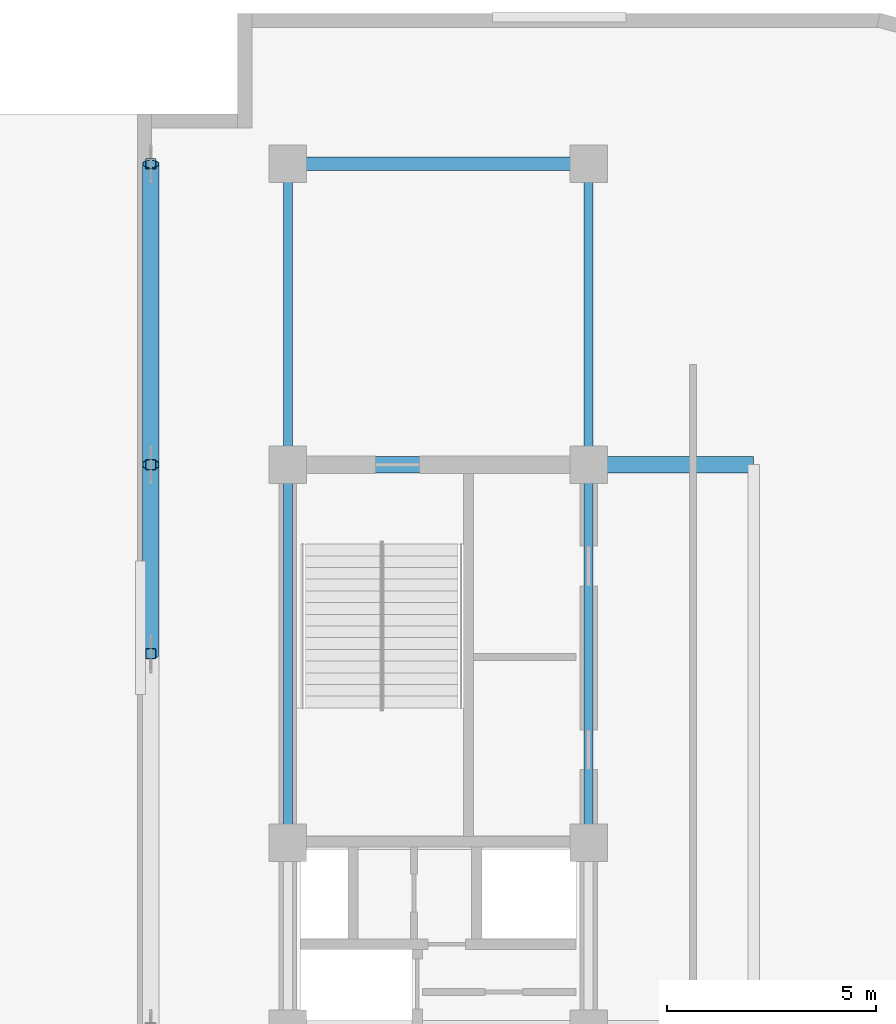
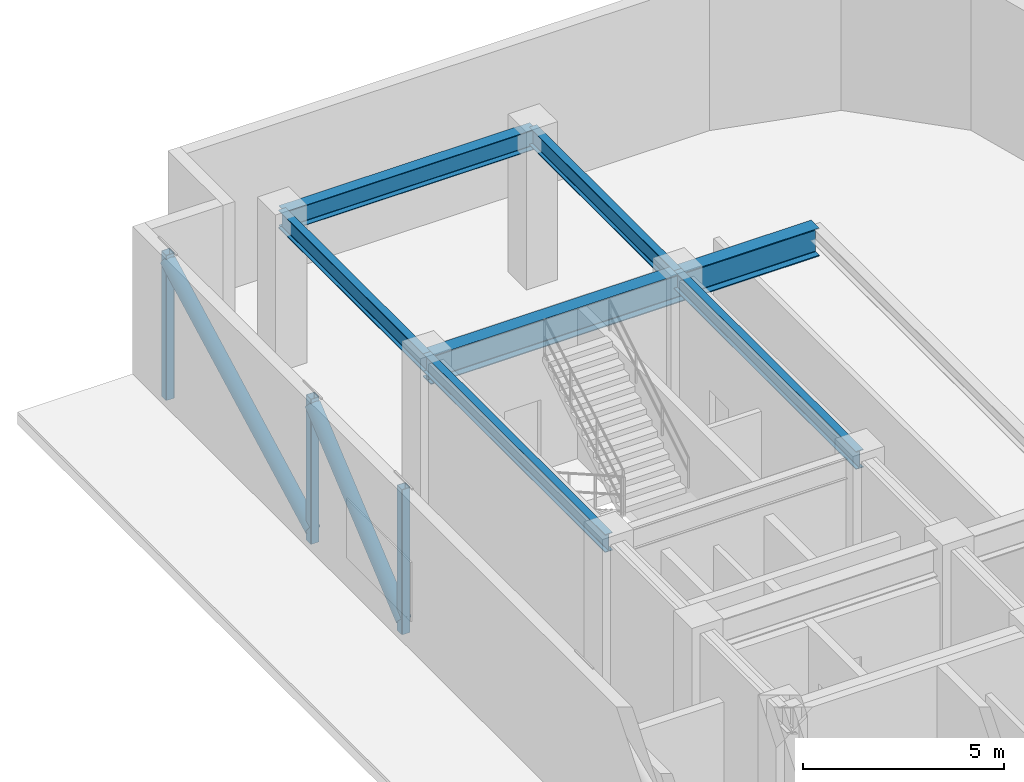
# One storey, part 5 of 13: 6 beams, 5 members.
"""IFC4 building model written with IfcOpenShell, lengths in metres."""

from ifc_helpers import new_model, entity, si_unit, converted_unit, direction, frame, origin_with_axes, origin_2d_with_axis, place, context, subcontext, project, spatial, hollow_rectangle, hollow_circle, i_section, extrude, material, material_profile, profile_set, type_object, element, save


model = new_model("IFC4")

# Units and contexts
model_context = context("Model", 3, precision=1e-05, world=origin_with_axes(), true_north=direction((0.0, 1.0)))
body_context = subcontext(model_context, "Body", "Model", "MODEL_VIEW")
ifc_project = project(units=[si_unit("LENGTHUNIT", "METRE"), si_unit("AREAUNIT", "SQUARE_METRE"), si_unit("VOLUMEUNIT", "CUBIC_METRE"), converted_unit("PLANEANGLEUNIT", "DEGREE", entity("IfcPlaneAngleMeasure", 0.017453292519943295), si_unit("PLANEANGLEUNIT", "RADIAN"), dimensions=[0, 0, 0, 0, 0, 0, 0]), si_unit("MASSUNIT", "GRAM", prefix="KILO"), si_unit("THERMODYNAMICTEMPERATUREUNIT", "KELVIN")], contexts=[model_context])

# Site, building, storey
site_placement = place(None, origin_with_axes())
site = spatial("IfcSite", under=ifc_project, at=site_placement, CompositionType="ELEMENT")
building_placement = place(site_placement, origin_with_axes())
building = spatial("IfcBuilding", under=site, at=building_placement, Name="Varnlund Millrace Tower", CompositionType="ELEMENT")
storey_placement = place(building_placement, frame((0.0, 0.0, 248.1), z_axis=(0.0, 0.0, 1.0), x_axis=(1.0, 0.0, 0.0)))
storey = spatial("IfcBuildingStorey", under=building, at=storey_placement, Name="L61", CompositionType="ELEMENT", Elevation=248.1)

# Beams
ifc_material_1 = material(Name="Steel ASTM A992 Grade 50", Category="steel")
ifc_material_profile_1 = material_profile(ifc_material_1, i_section(OverallWidth=0.214, OverallDepth=0.549, WebThickness=0.0147, FlangeThickness=0.0236, FilletRadius=0.015, at=origin_2d_with_axis()), Name="Steel ASTM A992 Grade 50")
ifc_profile_set_1 = profile_set([ifc_material_profile_1], Name="Steel ASTM A992 Grade 50")
beam_type_1 = type_object("IfcBeamType", Name="Type-Beam-W21X93", PredefinedType="BEAM", material=ifc_profile_set_1)
beam_1_placement = place(storey_placement, frame((11.4, 28.75, 4.2855), z_axis=(0.0, 1.0, 0.0), x_axis=(-1.0, 0.0, 0.0)))
element("IfcBeam", 1, at=beam_1_placement, inside=storey, type_object=beam_type_1, Name="Type-Beam-W21X93", PredefinedType="BEAM", context=body_context, shape_type="SweptSolid", body=[
    extrude(i_section(OverallWidth=0.214, OverallDepth=0.549, WebThickness=0.0147, FlangeThickness=0.0236, FilletRadius=0.015, at=origin_2d_with_axis()), origin_with_axes(), (0.0, 0.0, 1.0), 9.05),
])
beam_2_placement = place(storey_placement, frame((11.4, 37.8, 4.2855), z_axis=(0.0, 1.0, 0.0), x_axis=(-1.0, 0.0, 0.0)))
element("IfcBeam", 2, at=beam_2_placement, inside=storey, type_object=beam_type_1, Name="Type-Beam-W21X93", PredefinedType="BEAM", context=body_context, shape_type="SweptSolid", body=[
    extrude(i_section(OverallWidth=0.214, OverallDepth=0.549, WebThickness=0.0147, FlangeThickness=0.0236, FilletRadius=0.015, at=origin_2d_with_axis()), origin_with_axes(), (0.0, 0.0, 1.0), 7.2),
])
beam_3_placement = place(storey_placement, frame((18.6, 28.75, 4.2855), z_axis=(0.0, 1.0, 0.0), x_axis=(-1.0, 0.0, 0.0)))
element("IfcBeam", 3, at=beam_3_placement, inside=storey, type_object=beam_type_1, Name="Type-Beam-W21X93", PredefinedType="BEAM", context=body_context, shape_type="SweptSolid", body=[
    extrude(i_section(OverallWidth=0.214, OverallDepth=0.549, WebThickness=0.0147, FlangeThickness=0.0236, FilletRadius=0.015, at=origin_2d_with_axis()), origin_with_axes(), (0.0, 0.0, 1.0), 9.05),
])
beam_4_placement = place(storey_placement, frame((18.6, 37.8, 4.2855), z_axis=(0.0, 1.0, 0.0), x_axis=(-1.0, 0.0, 0.0)))
element("IfcBeam", 4, at=beam_4_placement, inside=storey, type_object=beam_type_1, Name="Type-Beam-W21X93", PredefinedType="BEAM", context=body_context, shape_type="SweptSolid", body=[
    extrude(i_section(OverallWidth=0.214, OverallDepth=0.549, WebThickness=0.0147, FlangeThickness=0.0236, FilletRadius=0.015, at=origin_2d_with_axis()), origin_with_axes(), (0.0, 0.0, 1.0), 7.2),
])

# Members
ifc_material_2 = material(Name="Steel ASTM A500 Grade C", Category="steel")
ifc_material_profile_2 = material_profile(ifc_material_2, hollow_circle(Radius=0.203, WallThickness=0.0147, at=origin_2d_with_axis()), Name="Steel ASTM A500 Grade C")
ifc_profile_set_2 = profile_set([ifc_material_profile_2], Name="Steel ASTM A500 Grade C")
member_type_1 = type_object("IfcMemberType", Name="Type-Belt-Brace-CHS406", PredefinedType="BRACE", material=ifc_profile_set_2)
member_1_placement = place(storey_placement, frame((8.12, 33.275, 0.35), z_axis=(0.0, 0.765788, 0.643093), x_axis=(-1.0, 0.0, 0.0)))
element("IfcMember", 5, at=member_1_placement, inside=storey, type_object=member_type_1, Name="Type-Belt-Brace-CHS406", PredefinedType="BRACE", context=body_context, shape_type="SweptSolid", body=[
    extrude(hollow_circle(Radius=0.203, WallThickness=0.0147, at=origin_2d_with_axis()), origin_with_axes(), (0.0, 0.0, 1.0), 5.908944),
])
member_2_placement = place(storey_placement, frame((8.12, 37.8, 0.35), z_axis=(0.0, 0.884385, 0.466759), x_axis=(-1.0, 0.0, 0.0)))
element("IfcMember", 6, at=member_2_placement, inside=storey, type_object=member_type_1, Name="Type-Belt-Brace-CHS406", PredefinedType="BRACE", context=body_context, shape_type="SweptSolid", body=[
    extrude(hollow_circle(Radius=0.203, WallThickness=0.0147, at=origin_2d_with_axis()), origin_with_axes(), (0.0, 0.0, 1.0), 8.141253),
])
ifc_material_profile_3 = material_profile(ifc_material_2, hollow_rectangle(XDim=0.254, YDim=0.254, WallThickness=0.0147, InnerFilletRadius=0.015, OuterFilletRadius=0.03, at=origin_2d_with_axis()), Name="Steel ASTM A500 Grade C")
ifc_profile_set_3 = profile_set([ifc_material_profile_3], Name="Steel ASTM A500 Grade C")
member_type_2 = type_object("IfcMemberType", Name="Type-Crown-Strut-HSS10", PredefinedType="STRUT", material=ifc_profile_set_3)
for number, where, z_axis, x_axis, name in (
    (7, (8.12, 33.275, 0.0), (0.0, 0.0, 1.0), (1.0, 0.0, 0.0), "Type-Crown-Strut-HSS10"),
    (8, (8.12, 37.8, 0.0), (0.0, 0.0, 1.0), (1.0, 0.0, 0.0), "Type-Crown-Strut-HSS10"),
    (9, (8.12, 45.0, 0.0), (0.0, 0.0, 1.0), (1.0, 0.0, 0.0), "Type-Crown-Strut-HSS10"),
):
    element("IfcMember", number, at=place(storey_placement, frame(where, z_axis=z_axis, x_axis=x_axis)), inside=storey, type_object=member_type_2, Name=name, PredefinedType="STRUT", context=body_context, shape_type="SweptSolid", body=[
        extrude(hollow_rectangle(XDim=0.254, YDim=0.254, WallThickness=0.0147, InnerFilletRadius=0.015, OuterFilletRadius=0.03, at=origin_2d_with_axis()), origin_with_axes(), (0.0, 0.0, 1.0), 4.4),
    ])

# Beams
ifc_material_profile_4 = material_profile(ifc_material_1, i_section(OverallWidth=0.324, OverallDepth=0.611, WebThickness=0.0127, FlangeThickness=0.0191, FilletRadius=0.016, at=origin_2d_with_axis()), Name="Steel ASTM A992 Grade 50")
ifc_profile_set_4 = profile_set([ifc_material_profile_4], Name="Steel ASTM A992 Grade 50")
beam_type_2 = type_object("IfcBeamType", Name="Type-Girder-W24X104", PredefinedType="USERDEFINED", material=ifc_profile_set_4)
beam_5_placement = place(storey_placement, frame((11.4, 45.0, 4.2545), z_axis=(1.0, 0.0, 0.0), x_axis=(0.0, 1.0, 0.0)))
element("IfcBeam", 10, at=beam_5_placement, inside=storey, type_object=beam_type_2, Name="Type-Girder-W24X104", ObjectType="GIRDER", PredefinedType="USERDEFINED", context=body_context, shape_type="SweptSolid", body=[
    extrude(i_section(OverallWidth=0.324, OverallDepth=0.611, WebThickness=0.0127, FlangeThickness=0.0191, FilletRadius=0.016, at=origin_2d_with_axis()), origin_with_axes(), (0.0, 0.0, 1.0), 7.2),
])
ifc_material_profile_5 = material_profile(ifc_material_1, i_section(OverallWidth=0.399, OverallDepth=0.855, WebThickness=0.0182, FlangeThickness=0.0292, FilletRadius=0.022, at=origin_2d_with_axis()), Name="Steel ASTM A992 Grade 50")
ifc_profile_set_5 = profile_set([ifc_material_profile_5], Name="Steel ASTM A992 Grade 50")
beam_type_3 = type_object("IfcBeamType", Name="Type-Girder-W33X201", PredefinedType="USERDEFINED", material=ifc_profile_set_5)
beam_6_placement = place(storey_placement, frame((11.4, 37.8, 4.1325), z_axis=(1.0, 0.0, 0.0), x_axis=(0.0, 1.0, 0.0)))
element("IfcBeam", 11, at=beam_6_placement, inside=storey, type_object=beam_type_3, Name="Type-Girder-W33X201", ObjectType="GIRDER", PredefinedType="USERDEFINED", context=body_context, shape_type="SweptSolid", body=[
    extrude(i_section(OverallWidth=0.399, OverallDepth=0.855, WebThickness=0.0182, FlangeThickness=0.0292, FilletRadius=0.022, at=origin_2d_with_axis()), origin_with_axes(), (0.0, 0.0, 1.0), 11.15),
])

save(model, "model.ifc")
